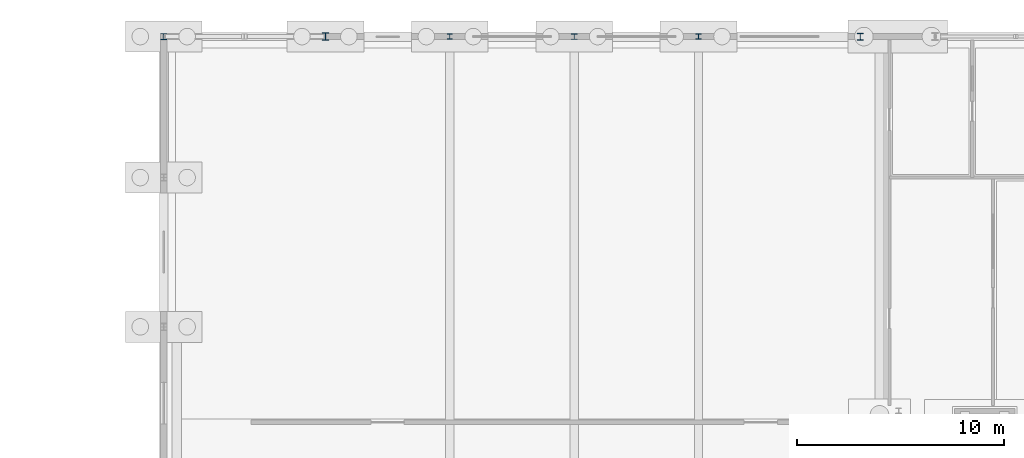
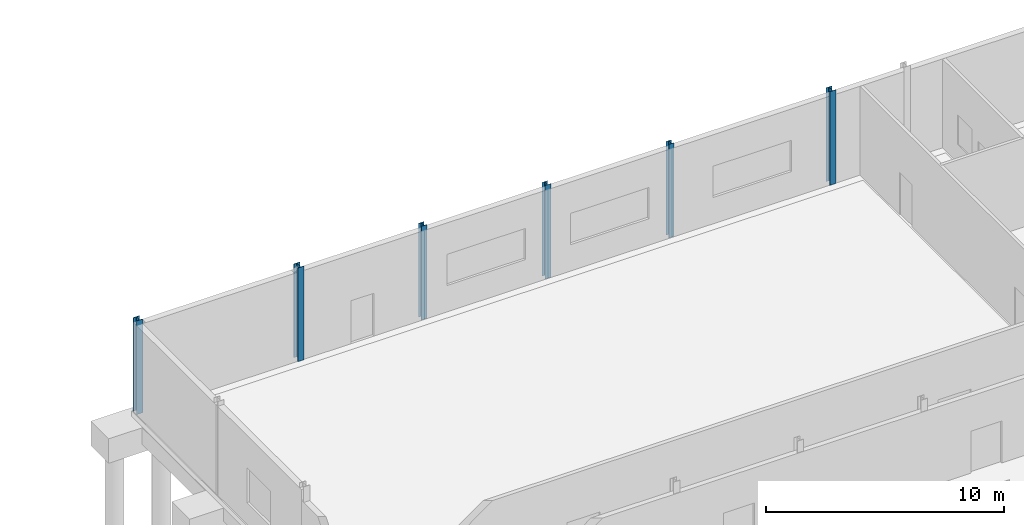
# One storey, part 19 of 91: 6 columns.
"""IFC4 building model written with IfcOpenShell, lengths in metres."""

from ifc_helpers import new_model, si_unit, direction, frame, origin, origin_2d, place, context, subcontext, project, spatial, i_section, extrude, material, material_profile, profile_set, type_object, element, save


model = new_model("IFC4")

# Units and contexts
model_context = context("Model", 3, precision=1e-05, world=origin(), true_north=direction((0.0, 1.0)))
body_context = subcontext(model_context, "Body", "Model", "MODEL_VIEW")
ifc_project = project(units=[si_unit("LENGTHUNIT", "METRE"), si_unit("AREAUNIT", "SQUARE_METRE"), si_unit("VOLUMEUNIT", "CUBIC_METRE"), si_unit("PLANEANGLEUNIT", "RADIAN"), si_unit("MASSUNIT", "GRAM", prefix="KILO")], contexts=[model_context])

# Site, building, storey
site_placement = place(None, origin())
site = spatial("IfcSite", under=ifc_project, at=site_placement, CompositionType="ELEMENT")
building_placement = place(site_placement, origin())
building = spatial("IfcBuilding", under=site, at=building_placement, Name="Vinh Khe Railworks Police Headquarters", CompositionType="ELEMENT")
storey_placement = place(building_placement, origin())
storey = spatial("IfcBuildingStorey", under=building, at=storey_placement, Name="L00", CompositionType="ELEMENT", Elevation=0.0)

# Columns
ifc_material = material(Name="Steel S355JR", Category="steel")
ifc_material_profile_1 = material_profile(ifc_material, i_section(OverallWidth=0.280029296875, OverallDepth=0.27001953125, WebThickness=0.008056640625, FlangeThickness=0.012939453125, FilletRadius=0.02392578125, at=origin_2d()), Name="HEA 280")
ifc_profile_set_1 = profile_set([ifc_material_profile_1], Name="Steel S355JR")
column_type_1 = type_object("IfcColumnType", Name="Steel Column HEA 280", PredefinedType="COLUMN", material=ifc_profile_set_1)
column_1_placement = place(storey_placement, frame((46.199951171875, 166.39990234375, 0.0), z_axis=(0.0, 0.0, 1.0), x_axis=(1.0, 0.0, 0.0)))
element("IfcColumn", 1, at=column_1_placement, inside=storey, type_object=column_type_1, Name="Column COL-L00-SC-19-0937", PredefinedType="COLUMN", context=body_context, shape_type="SweptSolid", body=[
    extrude(i_section(OverallWidth=0.280029296875, OverallDepth=0.27001953125, WebThickness=0.008056640625, FlangeThickness=0.012939453125, FilletRadius=0.02392578125, at=origin_2d()), origin(), (0.0, 0.0, 1.0), 4.800048828125),
])
ifc_material_profile_2 = material_profile(ifc_material, i_section(OverallWidth=0.300048828125, OverallDepth=0.2900390625, WebThickness=0.008544921875, FlangeThickness=0.013916015625, FilletRadius=0.027099609375, at=origin_2d()), Name="HEA 300")
ifc_profile_set_2 = profile_set([ifc_material_profile_2], Name="Steel S355JR")
column_type_2 = type_object("IfcColumnType", Name="Steel Column HEA 300", PredefinedType="COLUMN", material=ifc_profile_set_2)
column_2_placement = place(storey_placement, frame((26.39990234375, 166.39990234375, 0.0), z_axis=(0.0, 0.0, 1.0), x_axis=(1.0, 0.0, 0.0)))
element("IfcColumn", 2, at=column_2_placement, inside=storey, type_object=column_type_2, Name="Column COL-L00-SC-18-0778", PredefinedType="COLUMN", context=body_context, shape_type="SweptSolid", body=[
    extrude(i_section(OverallWidth=0.300048828125, OverallDepth=0.2900390625, WebThickness=0.008544921875, FlangeThickness=0.013916015625, FilletRadius=0.027099609375, at=origin_2d()), origin(), (0.0, 0.0, 1.0), 4.800048828125),
])
ifc_material_profile_3 = material_profile(ifc_material, i_section(OverallWidth=0.260009765625, OverallDepth=0.260009765625, WebThickness=0.010009765625, FlangeThickness=0.017578125, FilletRadius=0.02392578125, at=origin_2d()), Name="HEB 260")
ifc_profile_set_3 = profile_set([ifc_material_profile_3], Name="Steel S355JR")
column_type_3 = type_object("IfcColumnType", Name="Steel Column HEB 260", PredefinedType="COLUMN", material=ifc_profile_set_3)
for number, where, z_axis, x_axis, name in (
    (3, (40.199951171875, 166.39990234375, 0.0), (0.0, 0.0, 1.0), (1.0, 0.0, 0.0), "Column COL-L00-SC-12-0876"),
    (4, (52.199951171875, 166.39990234375, 0.0), (0.0, 0.0, 1.0), (1.0, 0.0, 0.0), "Column COL-L00-SC-12-0990"),
):
    element("IfcColumn", number, at=place(storey_placement, frame(where, z_axis=z_axis, x_axis=x_axis)), inside=storey, type_object=column_type_3, Name=name, PredefinedType="COLUMN", context=body_context, shape_type="SweptSolid", body=[
        extrude(i_section(OverallWidth=0.260009765625, OverallDepth=0.260009765625, WebThickness=0.010009765625, FlangeThickness=0.017578125, FilletRadius=0.02392578125, at=origin_2d()), origin(), (0.0, 0.0, 1.0), 4.800048828125),
    ])
ifc_material_profile_4 = material_profile(ifc_material, i_section(OverallWidth=0.300048828125, OverallDepth=0.340087890625, WebThickness=0.011962890625, FlangeThickness=0.021484375, FilletRadius=0.027099609375, at=origin_2d()), Name="HEB 340")
ifc_profile_set_4 = profile_set([ifc_material_profile_4], Name="Steel S355JR")
column_type_4 = type_object("IfcColumnType", Name="Steel Column HEB 340", PredefinedType="COLUMN", material=ifc_profile_set_4)
column_3_placement = place(storey_placement, frame((60.0, 166.39990234375, 0.0), z_axis=(0.0, 0.0, 1.0), x_axis=(1.0, 0.0, 0.0)))
element("IfcColumn", 5, at=column_3_placement, inside=storey, type_object=column_type_4, Name="Column COL-L00-SC-10-1062", PredefinedType="COLUMN", context=body_context, shape_type="SweptSolid", body=[
    extrude(i_section(OverallWidth=0.300048828125, OverallDepth=0.340087890625, WebThickness=0.011962890625, FlangeThickness=0.021484375, FilletRadius=0.027099609375, at=origin_2d()), origin(), (0.0, 0.0, 1.0), 4.800048828125),
])
ifc_material_profile_5 = material_profile(ifc_material, i_section(OverallWidth=0.300048828125, OverallDepth=0.360107421875, WebThickness=0.012451171875, FlangeThickness=0.0224609375, FilletRadius=0.027099609375, at=origin_2d()), Name="HEB 360")
ifc_profile_set_5 = profile_set([ifc_material_profile_5], Name="Steel S355JR")
column_type_5 = type_object("IfcColumnType", Name="Steel Column HEB 360", PredefinedType="COLUMN", material=ifc_profile_set_5)
column_4_placement = place(storey_placement, frame((34.199951171875, 166.39990234375, 0.0), z_axis=(0.0, 0.0, 1.0), x_axis=(1.0, 0.0, 0.0)))
element("IfcColumn", 6, at=column_4_placement, inside=storey, type_object=column_type_5, Name="Column COL-L00-SC-09-0819", PredefinedType="COLUMN", context=body_context, shape_type="SweptSolid", body=[
    extrude(i_section(OverallWidth=0.300048828125, OverallDepth=0.360107421875, WebThickness=0.012451171875, FlangeThickness=0.0224609375, FilletRadius=0.027099609375, at=origin_2d()), origin(), (0.0, 0.0, 1.0), 4.800048828125),
])

save(model, "model.ifc")
